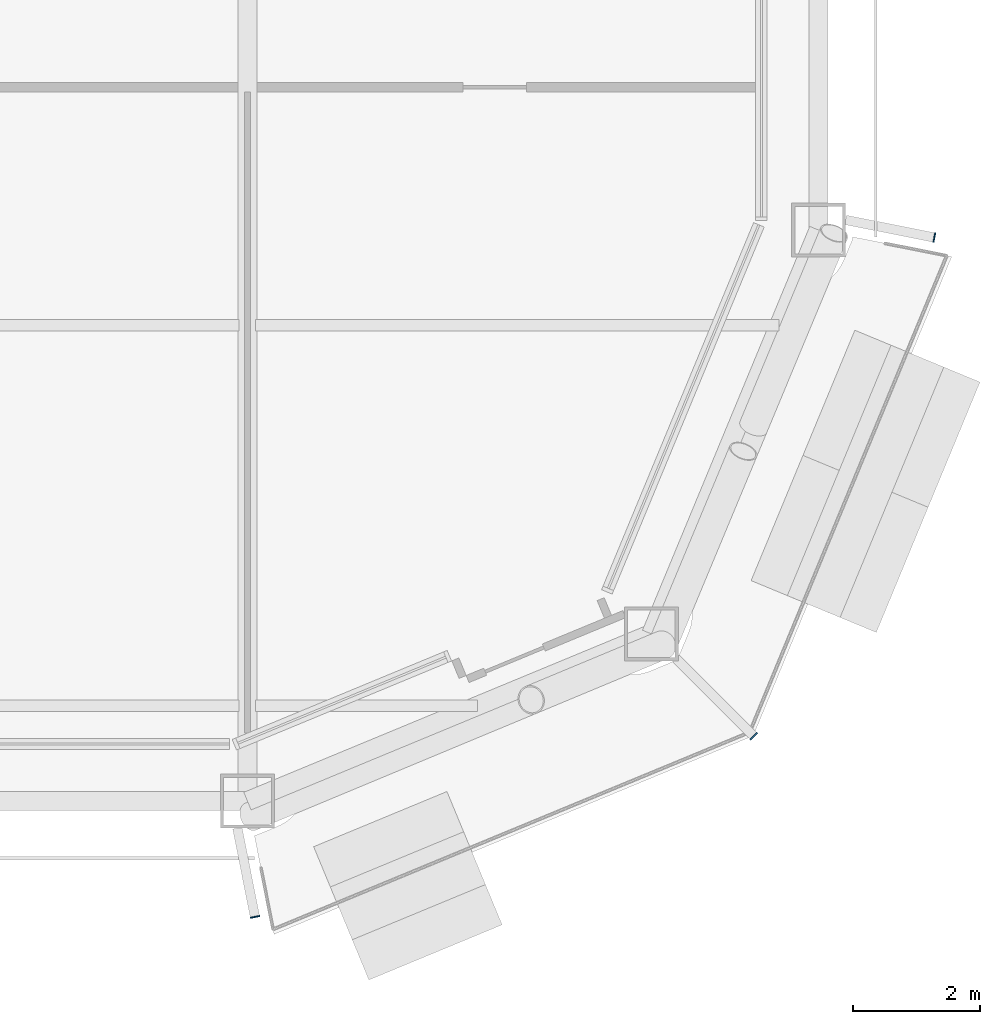
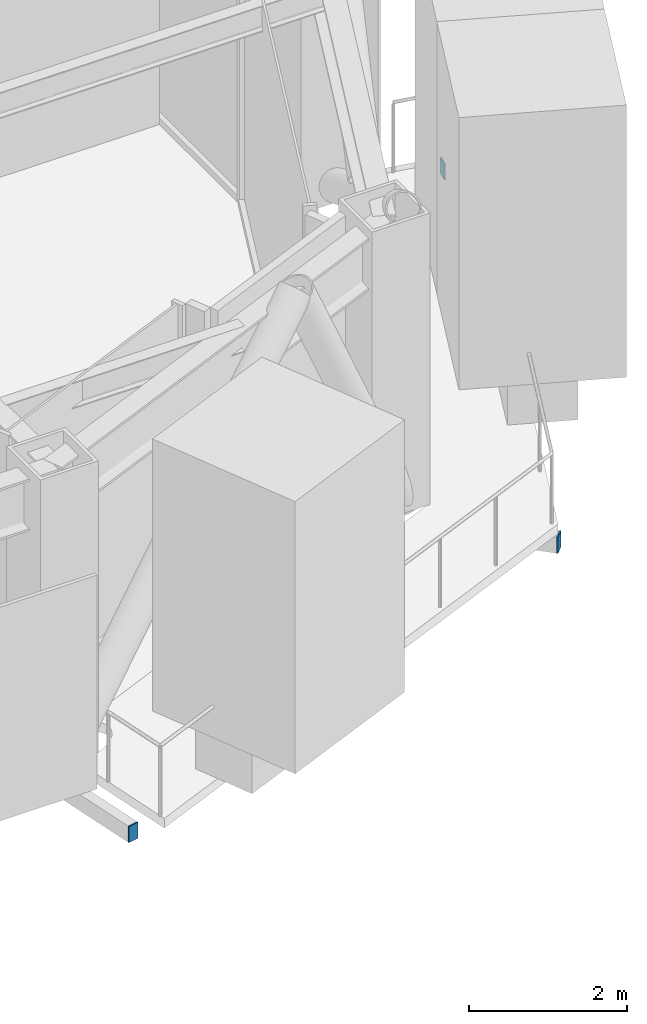
# One storey, part 16 of 22: 3 discrete accessories.
"""IFC4 building model written with IfcOpenShell, lengths in metres."""

from ifc_helpers import new_model, si_unit, direction, frame, origin, origin_2d, place, context, subcontext, project, spatial, rectangle, extrude, material, layer, layer_set, type_object, element, save


model = new_model("IFC4")

# Units and contexts
model_context = context("Model", 3, precision=1e-05, world=origin(), true_north=direction((0.0, 1.0)))
body_context = subcontext(model_context, "Body", "Model", "MODEL_VIEW")
ifc_project = project(units=[si_unit("LENGTHUNIT", "METRE"), si_unit("AREAUNIT", "SQUARE_METRE"), si_unit("VOLUMEUNIT", "CUBIC_METRE"), si_unit("PLANEANGLEUNIT", "RADIAN"), si_unit("MASSUNIT", "GRAM", prefix="KILO")], contexts=[model_context])

# Site, building, storey
site_placement = place(None, origin())
site = spatial("IfcSite", under=ifc_project, at=site_placement, CompositionType="ELEMENT")
building_placement = place(site_placement, origin())
building = spatial("IfcBuilding", under=site, at=building_placement, Name="Siwar Civic Tower", CompositionType="ELEMENT")
storey_placement = place(building_placement, frame((0.0, 0.0, 219.699951171875)))
storey = spatial("IfcBuildingStorey", under=building, at=storey_placement, Name="L47", CompositionType="ELEMENT", Elevation=219.699951171875)

# Discrete accessories
ifc_material = material(Name="Steel S355", Category="steel")
ifc_layer = layer(ifc_material, 0.02001953125)
ifc_layer_set = layer_set([ifc_layer], Name="Steel S355")
discrete_accessory_type = type_object("IfcDiscreteAccessoryType", Name="STR-END-CAP", PredefinedType="USERDEFINED", material=ifc_layer_set)
for number, where, z_axis, x_axis, name in (
    (1, (18.118408203125, -28.8251953125, -0.39990234375), (0.0, 0.0, 1.0), (0.195090321811, -0.980785280444, 0.0), "End cap plate Balcony cantilever beam SE 1"),
    (2, (25.978271484375, -25.978271484375, -0.39990234375), (0.0, 0.0, 1.0), (0.707106781187, -0.707106781187, 0.0), "End cap plate Balcony cantilever beam SE 2"),
    (3, (28.8251953125, -18.118408203125, -0.39990234375), (0.0, 0.0, 1.0), (0.980785280444, -0.195090321811, 0.0), "End cap plate Balcony cantilever beam SE 3"),
):
    element("IfcDiscreteAccessory", number, at=place(storey_placement, frame(where, z_axis=z_axis, x_axis=x_axis)), inside=storey, type_object=discrete_accessory_type, Name=name, ObjectType="END CAP PLATE", PredefinedType="USERDEFINED", context=body_context, shape_type="SweptSolid", body=[
        extrude(rectangle(XDim=0.02001953125, YDim=0.14990234375, at=origin_2d()), origin(), (0.0, 0.0, 1.0), 0.25),
    ])

save(model, "model.ifc")
